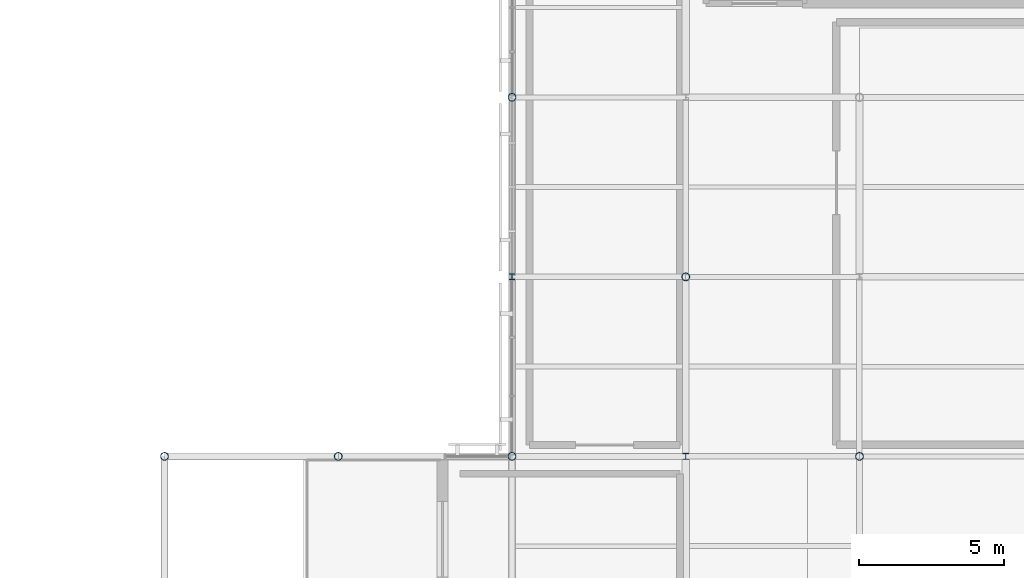
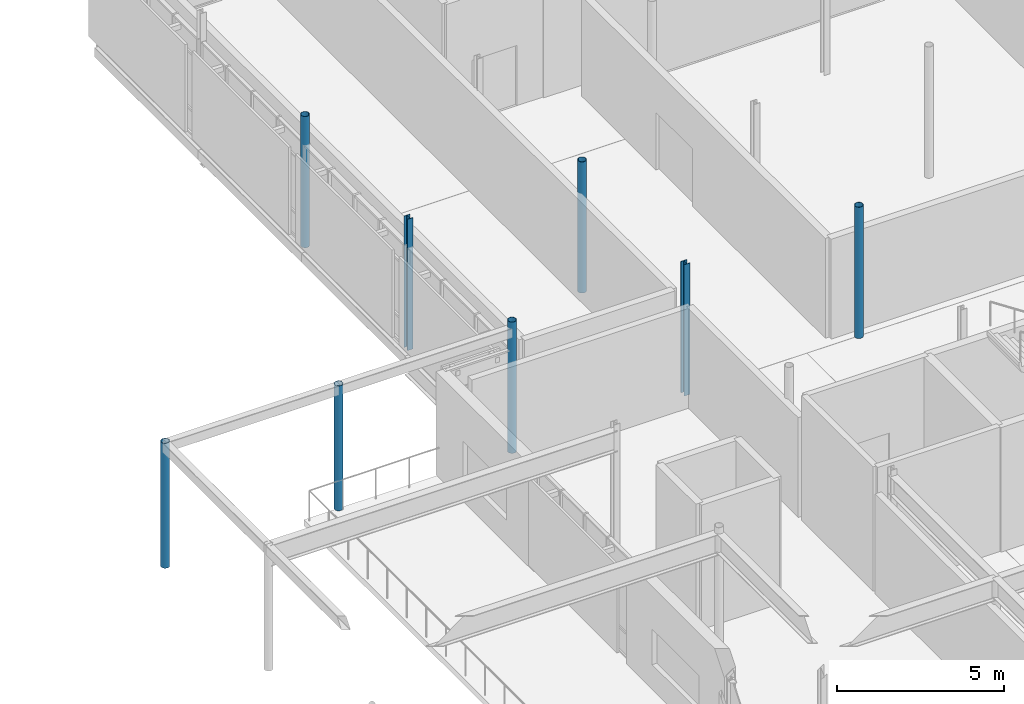
# One storey, part 9 of 48: 8 columns.
"""IFC4 building model written with IfcOpenShell, lengths in metres."""

from ifc_helpers import new_model, si_unit, direction, frame, origin, origin_2d, place, context, subcontext, project, spatial, hollow_circle, i_section, extrude, material, material_profile, profile_set, type_object, element, save


model = new_model("IFC4")

# Units and contexts
model_context = context("Model", 3, precision=1e-05, world=origin(), true_north=direction((0.0, 1.0)))
body_context = subcontext(model_context, "Body", "Model", "MODEL_VIEW")
ifc_project = project(units=[si_unit("LENGTHUNIT", "METRE"), si_unit("AREAUNIT", "SQUARE_METRE"), si_unit("VOLUMEUNIT", "CUBIC_METRE"), si_unit("PLANEANGLEUNIT", "RADIAN"), si_unit("MASSUNIT", "GRAM", prefix="KILO")], contexts=[model_context])

# Site, building, storey
site_placement = place(None, origin())
site = spatial("IfcSite", under=ifc_project, at=site_placement, CompositionType="ELEMENT")
building_placement = place(site_placement, origin())
building = spatial("IfcBuilding", under=site, at=building_placement, Name="Mirzam Square Science Centre", CompositionType="ELEMENT")
storey_placement = place(building_placement, frame((0.0, 0.0, 20.39990234375)))
storey = spatial("IfcBuildingStorey", under=building, at=storey_placement, Name="L04", CompositionType="ELEMENT", Elevation=20.39990234375)

# Columns
ifc_material = material(Name="Steel S355", Category="steel")
ifc_material_profile_1 = material_profile(ifc_material, hollow_circle(Radius=0.136474609375, WallThickness=0.010009765625, at=origin_2d()), Name="273.0x10.0CHS")
ifc_profile_set_1 = profile_set([ifc_material_profile_1], Name="Steel S355")
column_type_1 = type_object("IfcColumnType", Name="COL-CHS273", PredefinedType="COLUMN", material=ifc_profile_set_1)
for number, where, z_axis, x_axis, name in (
    (1, (102.0, 86.800048828125, 0.0), (0.0, 0.0, 1.0), (1.0, 0.0, 0.0), "L04 column G18-15"),
    (2, (108.0, 86.800048828125, 0.0), (0.0, 0.0, 1.0), (1.0, 0.0, 0.0), "L04 column G19-15"),
):
    element("IfcColumn", number, at=place(storey_placement, frame(where, z_axis=z_axis, x_axis=x_axis)), inside=storey, type_object=column_type_1, Name=name, PredefinedType="COLUMN", context=body_context, shape_type="SweptSolid", body=[
        extrude(hollow_circle(Radius=0.136474609375, WallThickness=0.010009765625, at=origin_2d()), origin(), (0.0, 0.0, 1.0), 4.570068359375),
    ])
for number, where, z_axis, x_axis, name in (
    (3, (114.0, 86.800048828125, 0.0), (0.0, 0.0, 1.0), (1.0, 0.0, 0.0), "L04 column G20-15"),
    (4, (114.0, 99.199951171875, 0.0), (0.0, 0.0, 1.0), (1.0, 0.0, 0.0), "L04 column G20-17"),
    (5, (120.0, 93.0, 0.0), (0.0, 0.0, 1.0), (1.0, 0.0, 0.0), "L04 column G21-16"),
    (6, (126.0, 86.800048828125, 0.0), (0.0, 0.0, 1.0), (1.0, 0.0, 0.0), "L04 column G22-15"),
):
    element("IfcColumn", number, at=place(storey_placement, frame(where, z_axis=z_axis, x_axis=x_axis)), inside=storey, type_object=column_type_1, Name=name, PredefinedType="COLUMN", context=body_context, shape_type="SweptSolid", body=[
        extrude(hollow_circle(Radius=0.136474609375, WallThickness=0.010009765625, at=origin_2d()), origin(), (0.0, 0.0, 1.0), 4.800048828125),
    ])
ifc_material_profile_2 = material_profile(ifc_material, i_section(OverallWidth=0.205810546875, OverallDepth=0.209716796875, WebThickness=0.009521484375, FlangeThickness=0.01416015625, FilletRadius=0.01025390625, at=origin_2d()), Name="203x203x60UC")
ifc_profile_set_2 = profile_set([ifc_material_profile_2], Name="Steel S355")
column_type_2 = type_object("IfcColumnType", Name="COL-UC203A", PredefinedType="COLUMN", material=ifc_profile_set_2)
for number, where, z_axis, x_axis, name in (
    (7, (114.0, 93.0, 0.0), (0.0, 0.0, 1.0), (1.0, 0.0, 0.0), "L04 column G20-16"),
    (8, (120.0, 86.800048828125, 0.0), (0.0, 0.0, 1.0), (1.0, 0.0, 0.0), "L04 column G21-15"),
):
    element("IfcColumn", number, at=place(storey_placement, frame(where, z_axis=z_axis, x_axis=x_axis)), inside=storey, type_object=column_type_2, Name=name, PredefinedType="COLUMN", context=body_context, shape_type="SweptSolid", body=[
        extrude(i_section(OverallWidth=0.205810546875, OverallDepth=0.209716796875, WebThickness=0.009521484375, FlangeThickness=0.01416015625, FilletRadius=0.01025390625, at=origin_2d()), origin(), (0.0, 0.0, 1.0), 4.800048828125),
    ])

save(model, "model.ifc")
